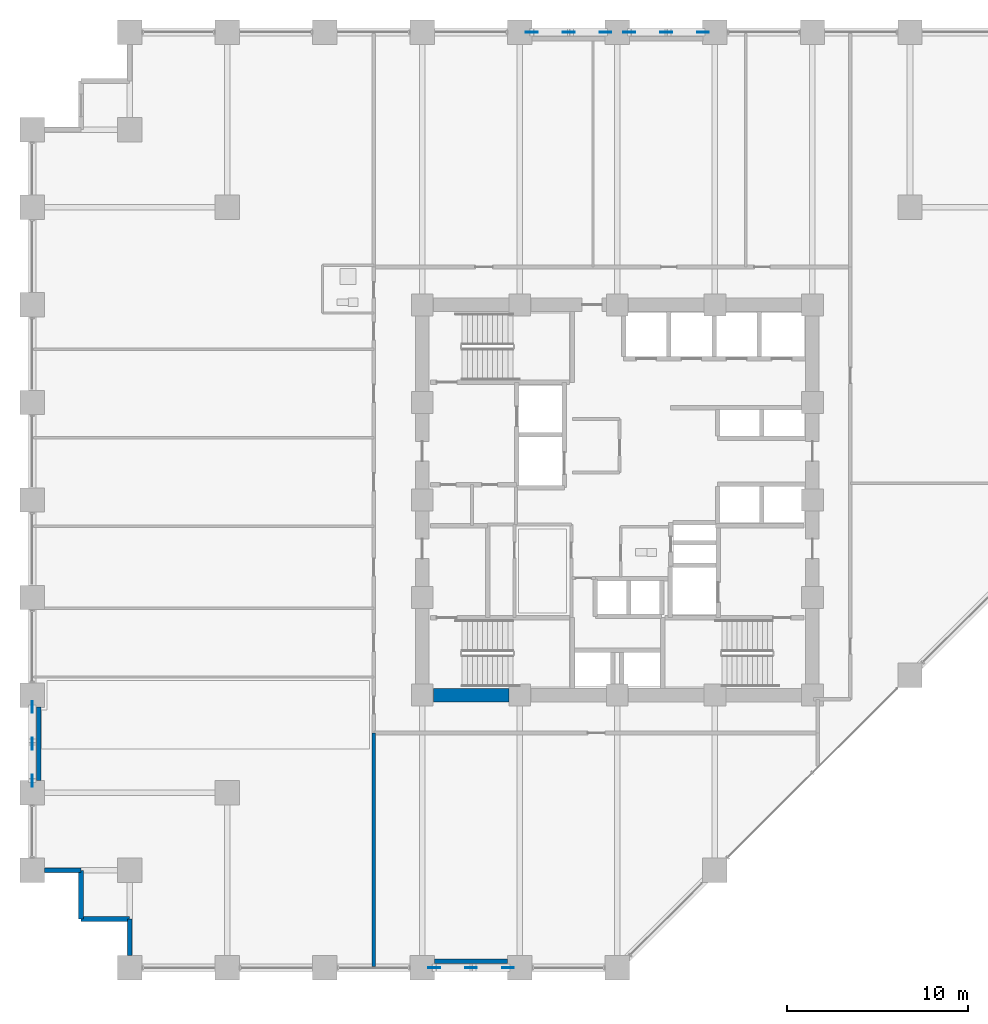
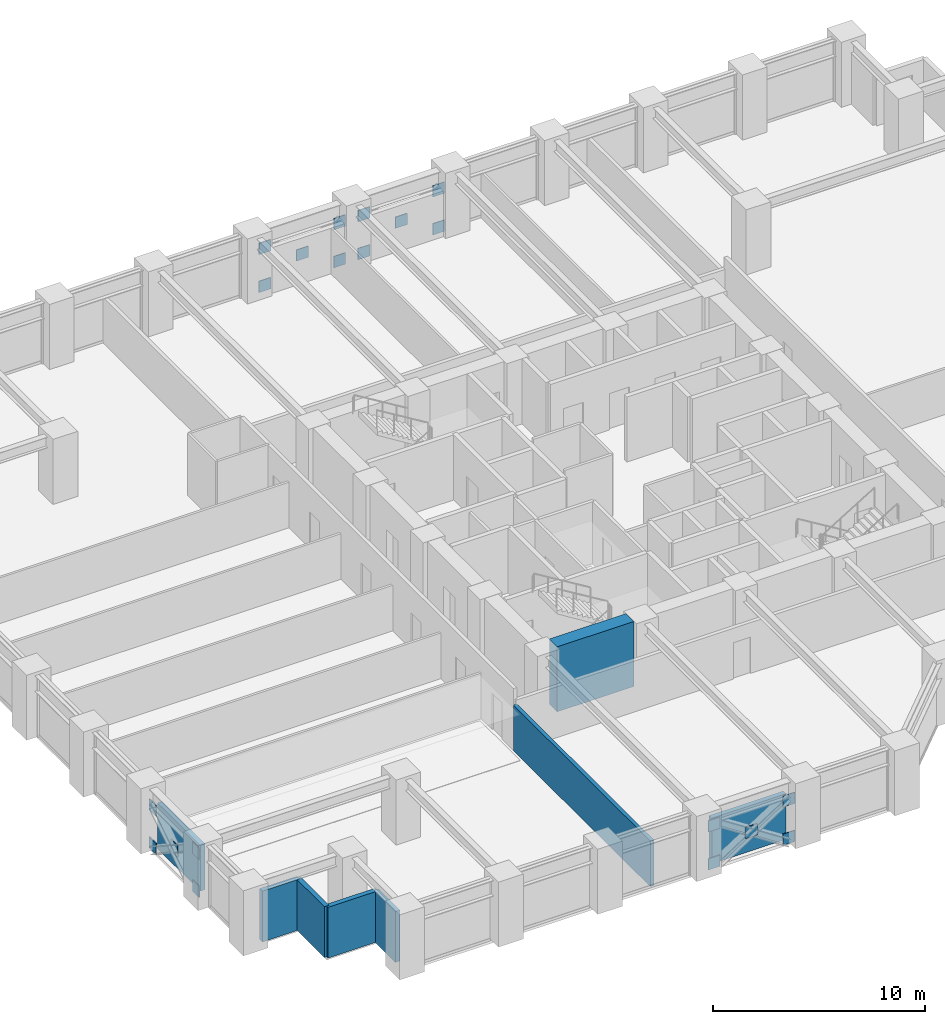
# One storey, part 19 of 25: 20 plates, 8 walls.
"""IFC4 building model written with IfcOpenShell, lengths in metres."""

from ifc_helpers import new_model, si_unit, direction, frame, frame_2d, origin, origin_2d, place, context, subcontext, project, spatial, rectangle, extrude, material, layer, layer_set, type_object, element, save


model = new_model("IFC4")

# Units and contexts
model_context = context("Model", 3, precision=1e-05, world=origin(), true_north=direction((0.0, 1.0)))
body_context = subcontext(model_context, "Body", "Model", "MODEL_VIEW")
ifc_project = project(units=[si_unit("LENGTHUNIT", "METRE"), si_unit("AREAUNIT", "SQUARE_METRE"), si_unit("VOLUMEUNIT", "CUBIC_METRE"), si_unit("PLANEANGLEUNIT", "RADIAN"), si_unit("MASSUNIT", "GRAM", prefix="KILO")], contexts=[model_context])

# Site, building, storey
site_placement = place(None, origin())
site = spatial("IfcSite", under=ifc_project, at=site_placement, CompositionType="ELEMENT")
building_placement = place(site_placement, origin())
building = spatial("IfcBuilding", under=site, at=building_placement, Name="Surkhivell Harbour Commons", CompositionType="ELEMENT")
storey_placement = place(building_placement, frame((0.0, 0.0, 41.25)))
storey = spatial("IfcBuildingStorey", under=building, at=storey_placement, Name="L10", CompositionType="ELEMENT", Elevation=41.25)

# Plates
ifc_material_1 = material(Name="Steel S460", Category="steel")
ifc_layer_1 = layer(ifc_material_1, 0.044921875)
ifc_layer_set_1 = layer_set([ifc_layer_1], Name="Steel S460")
plate_type = type_object("IfcPlateType", Name="PLT-GUS-650", PredefinedType="USERDEFINED", material=ifc_layer_set_1)
for number, where, z_axis, x_axis, name in (
    (1, (-4.739990234375, 25.89990234375, -0.08935546875), (0.0, 0.0, 1.0), (1.0, 0.0, 0.0), "L10 Perimeter Mega-Brace MB- Corner Gusset N-1"),
    (2, (-0.659912109375, 25.89990234375, -0.08935546875), (0.0, 0.0, 1.0), (1.0, 0.0, 0.0), "L10 Perimeter Mega-Brace MB- Corner Gusset N-2"),
    (3, (-4.739990234375, 25.89990234375, 2.1005859375), (0.0, 0.0, 1.0), (1.0, 0.0, 0.0), "L10 Perimeter Mega-Brace MB- Corner Gusset N-3"),
    (4, (-0.659912109375, 25.89990234375, 2.1005859375), (0.0, 0.0, 1.0), (1.0, 0.0, 0.0), "L10 Perimeter Mega-Brace MB- Corner Gusset N-4"),
    (5, (-2.699951171875, 25.89990234375, 1.005615234375), (0.0, 0.0, 1.0), (1.0, 0.0, 0.0), "L10 Perimeter Mega-Brace MB- Central Crossing Gusset N"),
    (6, (0.659912109375, 25.89990234375, -0.08935546875), (0.0, 0.0, 1.0), (1.0, 0.0, 0.0), "L10 Perimeter Mega-Brace MB- Corner Gusset N2-1"),
    (7, (4.739990234375, 25.89990234375, -0.08935546875), (0.0, 0.0, 1.0), (1.0, 0.0, 0.0), "L10 Perimeter Mega-Brace MB- Corner Gusset N2-2"),
    (8, (0.659912109375, 25.89990234375, 2.1005859375), (0.0, 0.0, 1.0), (1.0, 0.0, 0.0), "L10 Perimeter Mega-Brace MB- Corner Gusset N2-3"),
    (9, (4.739990234375, 25.89990234375, 2.1005859375), (0.0, 0.0, 1.0), (1.0, 0.0, 0.0), "L10 Perimeter Mega-Brace MB- Corner Gusset N2-4"),
    (10, (2.699951171875, 25.89990234375, 1.005615234375), (0.0, 0.0, 1.0), (1.0, 0.0, 0.0), "L10 Perimeter Mega-Brace MB- Central Crossing Gusset N2"),
    (11, (-10.139892578125, -25.89990234375, -0.08935546875), (0.0, 0.0, 1.0), (1.0, 0.0, 0.0), "L10 Perimeter Mega-Brace MB- Corner Gusset S-1"),
    (12, (-6.06005859375, -25.89990234375, -0.08935546875), (0.0, 0.0, 1.0), (1.0, 0.0, 0.0), "L10 Perimeter Mega-Brace MB- Corner Gusset S-2"),
    (13, (-10.139892578125, -25.89990234375, 2.1005859375), (0.0, 0.0, 1.0), (1.0, 0.0, 0.0), "L10 Perimeter Mega-Brace MB- Corner Gusset S-3"),
    (14, (-6.06005859375, -25.89990234375, 2.1005859375), (0.0, 0.0, 1.0), (1.0, 0.0, 0.0), "L10 Perimeter Mega-Brace MB- Corner Gusset S-4"),
    (15, (-8.10009765625, -25.89990234375, 1.005615234375), (0.0, 0.0, 1.0), (1.0, 0.0, 0.0), "L10 Perimeter Mega-Brace MB- Central Crossing Gusset S"),
    (16, (-32.39990234375, -15.5400390625, -0.08935546875), (0.0, 0.0, 1.0), (0.0, 1.0, 0.0), "L10 Perimeter Mega-Brace MB- Corner Gusset W-1"),
    (17, (-32.39990234375, -11.4599609375, -0.08935546875), (0.0, 0.0, 1.0), (0.0, 1.0, 0.0), "L10 Perimeter Mega-Brace MB- Corner Gusset W-2"),
    (18, (-32.39990234375, -15.5400390625, 2.1005859375), (0.0, 0.0, 1.0), (0.0, 1.0, 0.0), "L10 Perimeter Mega-Brace MB- Corner Gusset W-3"),
    (19, (-32.39990234375, -11.4599609375, 2.1005859375), (0.0, 0.0, 1.0), (0.0, 1.0, 0.0), "L10 Perimeter Mega-Brace MB- Corner Gusset W-4"),
    (20, (-32.39990234375, -13.5, 1.005615234375), (0.0, 0.0, 1.0), (0.0, 1.0, 0.0), "L10 Perimeter Mega-Brace MB- Central Crossing Gusset W"),
):
    element("IfcPlate", number, at=place(storey_placement, frame(where, z_axis=z_axis, x_axis=x_axis)), inside=storey, type_object=plate_type, Name=name, ObjectType="GUSSET_PLATE", PredefinedType="USERDEFINED", context=body_context, shape_type="SweptSolid", body=[
        extrude(rectangle(XDim=0.64990234375, YDim=0.044921875, at=origin_2d()), origin(), (0.0, 0.0, 1.0), 0.64990234375),
    ])

# Walls
ifc_material_2 = material(Name="Concrete C60/75", Category="concrete")
ifc_layer_2 = layer(ifc_material_2, 0.75)
ifc_layer_set_2 = layer_set([ifc_layer_2], Name="Concrete C60/75")
wall_type_1 = type_object("IfcWallType", Name="WAL-CORE-750", PredefinedType="SHEAR", material=ifc_layer_set_2)
wall_1_placement = place(storey_placement, frame((-10.18994140625, -10.800048828125, 0.0), z_axis=(0.0, 0.0, 1.0), x_axis=(1.0, 0.0, 0.0)))
element("IfcWall", 21, at=wall_1_placement, inside=storey, type_object=wall_type_1, Name="L10 Core Shear Wall South 1", PredefinedType="SHEAR", context=body_context, shape_type="SweptSolid", body=[
    extrude(rectangle(XDim=4.179931640625, YDim=0.75, at=frame_2d((2.08984375, 0.0))), origin(), (0.0, 0.0, 1.0), 3.75),
])
ifc_material_3 = material(Name="Pale-metal insulated precast concrete C45/55", Category="concrete")
ifc_layer_3 = layer(ifc_material_3, 0.260009765625)
ifc_layer_set_3 = layer_set([ifc_layer_3], Name="Pale-metal insulated precast concrete C45/55")
wall_type_2 = type_object("IfcWallType", Name="WAL-EXT-MTL260", PredefinedType="STANDARD", material=ifc_layer_set_3)
wall_2_placement = place(storey_placement, frame((-10.126953125, -25.5400390625, 0.0), z_axis=(0.0, 0.0, 1.0), x_axis=(1.0, 0.0, 0.0)))
element("IfcWall", 22, at=wall_2_placement, inside=storey, type_object=wall_type_2, Name="L10 Braced-Bay Insulated Spandrel Backing S", PredefinedType="STANDARD", context=body_context, shape_type="SweptSolid", body=[
    extrude(rectangle(XDim=4.053955078125, YDim=0.260009765625, at=frame_2d((2.02685546875, 0.0))), origin(), (0.0, 0.0, 1.0), 2.62890625),
])
wall_3_placement = place(storey_placement, frame((-32.0400390625, -11.472900390625, 0.0), z_axis=(0.0, 0.0, 1.0), x_axis=(0.0, -1.0, 0.0)))
element("IfcWall", 23, at=wall_3_placement, inside=storey, type_object=wall_type_2, Name="L10 Braced-Bay Insulated Spandrel Backing W", PredefinedType="STANDARD", context=body_context, shape_type="SweptSolid", body=[
    extrude(rectangle(XDim=4.05419921875, YDim=0.260009765625, at=frame_2d((2.027099609375, 0.0))), origin(), (0.0, 0.0, 1.0), 2.62890625),
])
wall_4_placement = place(storey_placement, frame((-31.72705078125, -20.5, 0.0), z_axis=(0.0, 0.0, 1.0), x_axis=(1.0, 0.0, 0.0)))
element("IfcWall", 24, at=wall_4_placement, inside=storey, type_object=wall_type_2, Name="L10 Serrated Corner Facade Wall 13", PredefinedType="STANDARD", context=body_context, shape_type="SweptSolid", body=[
    extrude(rectangle(XDim=2.027099609375, YDim=0.260009765625, at=frame_2d((1.013671875, 0.0))), origin(), (0.0, 0.0, 1.0), 2.929931640625),
])
for number, where, z_axis, x_axis, name in (
    (25, (-29.699951171875, -20.5, 0.0), (0.0, 0.0, 1.0), (0.0, -1.0, 0.0), "L10 Serrated Corner Facade Wall 14"),
    (26, (-29.699951171875, -23.199951171875, 0.0), (0.0, 0.0, 1.0), (1.0, 0.0, 0.0), "L10 Serrated Corner Facade Wall 15"),
):
    element("IfcWall", number, at=place(storey_placement, frame(where, z_axis=z_axis, x_axis=x_axis)), inside=storey, type_object=wall_type_2, Name=name, PredefinedType="STANDARD", context=body_context, shape_type="SweptSolid", body=[
        extrude(rectangle(XDim=2.699951171875, YDim=0.260009765625, at=frame_2d((1.35009765625, 0.0))), origin(), (0.0, 0.0, 1.0), 2.929931640625),
    ])
wall_5_placement = place(storey_placement, frame((-27.0, -23.199951171875, 0.0), z_axis=(0.0, 0.0, 1.0), x_axis=(0.0, -1.0, 0.0)))
element("IfcWall", 27, at=wall_5_placement, inside=storey, type_object=wall_type_2, Name="L10 Serrated Corner Facade Wall 16", PredefinedType="STANDARD", context=body_context, shape_type="SweptSolid", body=[
    extrude(rectangle(XDim=2.027099609375, YDim=0.260009765625, at=frame_2d((1.013671875, 0.0))), origin(), (0.0, 0.0, 1.0), 2.929931640625),
])
ifc_material_4 = material(Name="Autoclaved aerated concrete blockwork and fire plaster", Category="masonry")
ifc_layer_4 = layer(ifc_material_4, 0.199951171875)
ifc_layer_set_4 = layer_set([ifc_layer_4], Name="Autoclaved aerated concrete blockwork and fire plaster")
wall_type_3 = type_object("IfcWallType", Name="WAL-INT-200", PredefinedType="PARTITIONING", material=ifc_layer_set_4)
wall_6_placement = place(storey_placement, frame((-13.47998046875, -25.840087890625, 0.0), z_axis=(0.0, 0.0, 1.0), x_axis=(0.0, 1.0, 0.0)))
element("IfcWall", 28, at=wall_6_placement, inside=storey, type_object=wall_type_3, Name="L10 South-West Wing Corner Divider", PredefinedType="PARTITIONING", context=body_context, shape_type="SweptSolid", body=[
    extrude(rectangle(XDim=12.940185546875, YDim=0.199951171875, at=frame_2d((6.47021484375, 0.0))), origin(), (0.0, 0.0, 1.0), 2.62890625),
])

save(model, "model.ifc")
